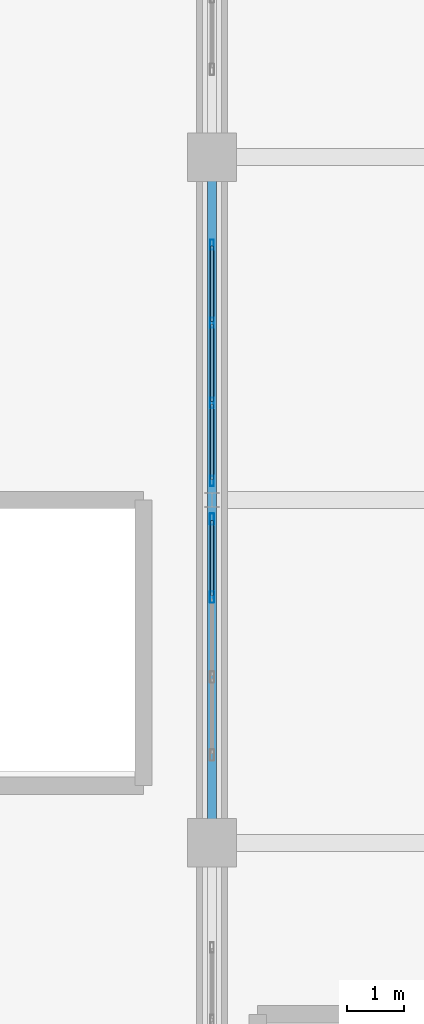
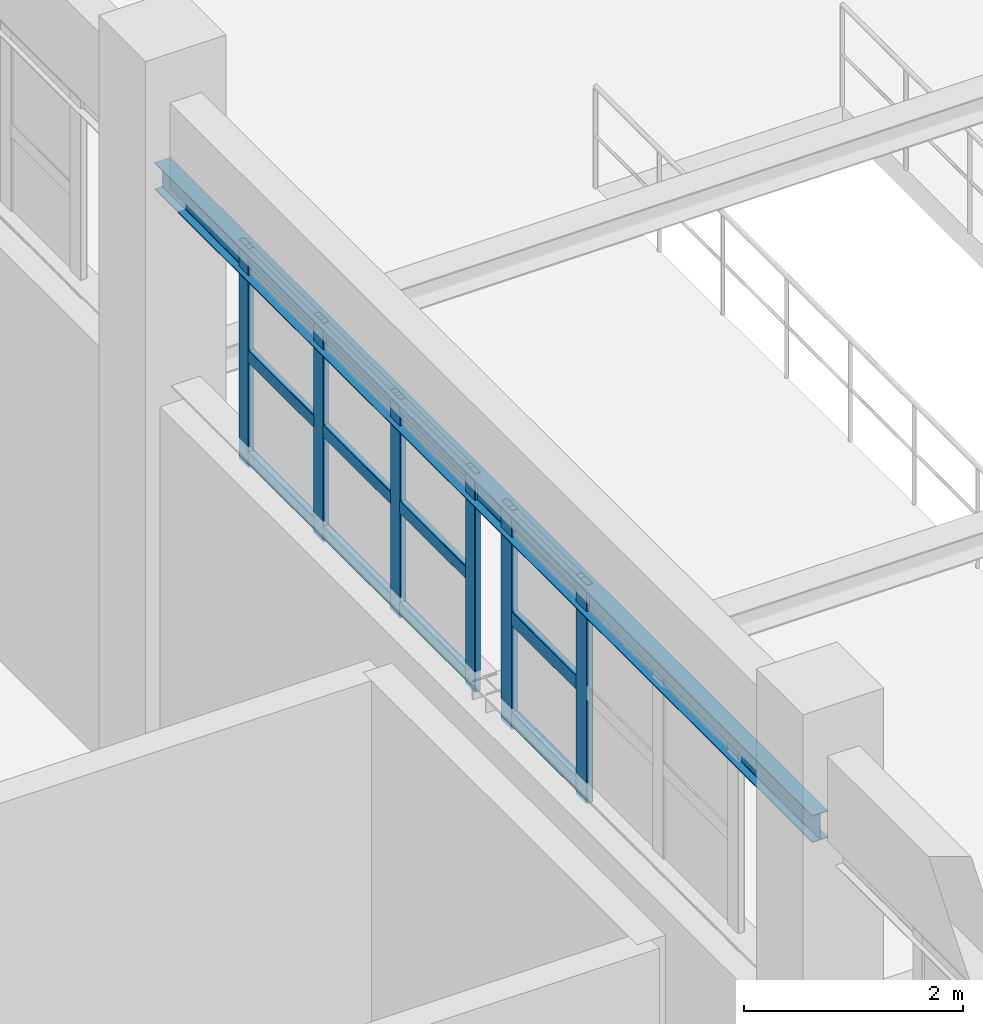
# One storey, part 53 of 97: 18 members, 1 beam, 2 elements without a shape of their own.
"""IFC4 building model written with IfcOpenShell, lengths in metres."""

from ifc_helpers import new_model, si_unit, derived_unit, direction, frame, origin, origin_2d, place, context, subcontext, project, spatial, hollow_rectangle, i_section, extrude, material, layer, layer_set, material_profile, profile_set, type_object, element, aggregate, save


model = new_model("IFC4")

# Units and contexts
model_context = context("Model", 3, precision=1e-05, world=origin(), true_north=direction((0.0, 1.0)))
body_context = subcontext(model_context, "Body", "Model", "MODEL_VIEW")
ifc_project = project(units=[si_unit("LENGTHUNIT", "METRE"), si_unit("AREAUNIT", "SQUARE_METRE"), si_unit("VOLUMEUNIT", "CUBIC_METRE"), si_unit("PLANEANGLEUNIT", "RADIAN"), si_unit("MASSUNIT", "GRAM", prefix="KILO"), derived_unit("THERMALTRANSMITTANCEUNIT", [(si_unit("POWERUNIT", "WATT"), 1), (si_unit("LENGTHUNIT", "METRE"), -2), (si_unit("THERMODYNAMICTEMPERATUREUNIT", "KELVIN"), -1)])], contexts=[model_context])

# Site, building, storey
site_placement = place(None, origin())
site = spatial("IfcSite", under=ifc_project, at=site_placement, CompositionType="ELEMENT")
building_placement = place(site_placement, origin())
building = spatial("IfcBuilding", under=site, at=building_placement, Name="Almenara Railside Exhibition Hall", CompositionType="ELEMENT")
storey_placement = place(building_placement, frame((0.0, 0.0, 10.800048828125)))
storey = spatial("IfcBuildingStorey", under=building, at=storey_placement, Name="L02", CompositionType="ELEMENT", Elevation=10.800048828125)

# Curtain wall, members
ifc_material_1 = material(Name="Bronze-anodised aluminium and low-E double glazing", Category="aluminium")
ifc_layer = layer(ifc_material_1, 0.179931640625, Name="Bronze-anodised aluminium and low-E double glazing")
ifc_layer_set = layer_set([ifc_layer], Name="Bronze-anodised aluminium and low-E double glazing")
curtain_wall_type = type_object("IfcCurtainWallType", Name="West Hall Clerestory Curtain Wall 4200x2400", PredefinedType="NOTDEFINED", material=ifc_layer_set)
curtain_wall_1_placement = place(storey_placement, origin())
curtain_wall_1 = element("IfcCurtainWall", 1, at=curtain_wall_1_placement, inside=storey, type_object=curtain_wall_type, Name="Curtain wall CW-CL1-016", PredefinedType="NOTDEFINED")
ifc_material_2 = material(Name="Bronze-anodised aluminium", Category="aluminium")
ifc_material_profile_1 = material_profile(ifc_material_2, hollow_rectangle(XDim=0.06494140625, YDim=0.179931640625, WallThickness=0.00390625, InnerFilletRadius=0.00390625, OuterFilletRadius=0.008056640625, at=origin_2d()), Name="ALU-MUL 65x180x4")
ifc_profile_set_1 = profile_set([ifc_material_profile_1], Name="Bronze-anodised aluminium")
member_type_1 = type_object("IfcMemberType", Name="Curtain Wall Mullion 65x180x4", PredefinedType="MULLION", material=ifc_profile_set_1)
member_1_placement = place(storey_placement, frame((66.0, 90.33251953125, 4.56494140625), z_axis=(0.0, 0.0, 1.0), x_axis=(-1.0, 0.0, 0.0)))
member_1 = element("IfcMember", 2, at=member_1_placement, type_object=member_type_1, Name="CW-CL1-016 mullion 1", PredefinedType="MULLION", context=body_context, shape_type="SweptSolid", body=[
    extrude(hollow_rectangle(XDim=0.06494140625, YDim=0.179931640625, WallThickness=0.00390625, InnerFilletRadius=0.00390625, OuterFilletRadius=0.008056640625, at=origin_2d()), origin(), (0.0, 0.0, 1.0), 2.43505859375),
])
member_2_placement = place(storey_placement, frame((66.0, 91.699951171875, 4.56494140625), z_axis=(0.0, 0.0, 1.0), x_axis=(-1.0, 0.0, 0.0)))
member_2 = element("IfcMember", 3, at=member_2_placement, type_object=member_type_1, Name="CW-CL1-016 mullion 2", PredefinedType="MULLION", context=body_context, shape_type="SweptSolid", body=[
    extrude(hollow_rectangle(XDim=0.06494140625, YDim=0.179931640625, WallThickness=0.00390625, InnerFilletRadius=0.00390625, OuterFilletRadius=0.008056640625, at=origin_2d()), origin(), (0.0, 0.0, 1.0), 2.43505859375),
])
member_3_placement = place(storey_placement, frame((66.0, 93.10009765625, 4.56494140625), z_axis=(0.0, 0.0, 1.0), x_axis=(-1.0, 0.0, 0.0)))
member_3 = element("IfcMember", 4, at=member_3_placement, type_object=member_type_1, Name="CW-CL1-016 mullion 3", PredefinedType="MULLION", context=body_context, shape_type="SweptSolid", body=[
    extrude(hollow_rectangle(XDim=0.06494140625, YDim=0.179931640625, WallThickness=0.00390625, InnerFilletRadius=0.00390625, OuterFilletRadius=0.008056640625, at=origin_2d()), origin(), (0.0, 0.0, 1.0), 2.43505859375),
])
member_4_placement = place(storey_placement, frame((66.0, 94.467529296875, 4.56494140625), z_axis=(0.0, 0.0, 1.0), x_axis=(-1.0, 0.0, 0.0)))
member_4 = element("IfcMember", 5, at=member_4_placement, type_object=member_type_1, Name="CW-CL1-016 mullion 4", PredefinedType="MULLION", context=body_context, shape_type="SweptSolid", body=[
    extrude(hollow_rectangle(XDim=0.06494140625, YDim=0.179931640625, WallThickness=0.00390625, InnerFilletRadius=0.00390625, OuterFilletRadius=0.008056640625, at=origin_2d()), origin(), (0.0, 0.0, 1.0), 2.43505859375),
])

curtain_wall_2_placement = place(storey_placement, origin())
curtain_wall_2 = element("IfcCurtainWall", 6, at=curtain_wall_2_placement, inside=storey, type_object=curtain_wall_type, Name="Curtain wall CW-CL1-015", PredefinedType="NOTDEFINED")
ifc_material_profile_2 = material_profile(ifc_material_2, hollow_rectangle(XDim=0.070068359375, YDim=0.199951171875, WallThickness=0.00439453125, InnerFilletRadius=0.00439453125, OuterFilletRadius=0.009033203125, at=origin_2d()), Name="ALU-MUL 70x200x4.5")
ifc_profile_set_2 = profile_set([ifc_material_profile_2], Name="Bronze-anodised aluminium")
member_type_2 = type_object("IfcMemberType", Name="Curtain Wall Mullion 70x200x4.5", PredefinedType="MULLION", material=ifc_profile_set_2)
member_5_placement = place(storey_placement, frame((66.0, 88.300048828125, 4.56494140625), z_axis=(0.0, 0.0, 1.0), x_axis=(-1.0, 0.0, 0.0)))
member_5 = element("IfcMember", 7, at=member_5_placement, type_object=member_type_2, Name="CW-CL1-015 mullion 3", PredefinedType="MULLION", context=body_context, shape_type="SweptSolid", body=[
    extrude(hollow_rectangle(XDim=0.070068359375, YDim=0.199951171875, WallThickness=0.00439453125, InnerFilletRadius=0.00439453125, OuterFilletRadius=0.009033203125, at=origin_2d()), origin(), (0.0, 0.0, 1.0), 2.43505859375),
])
member_6_placement = place(storey_placement, frame((66.0, 89.6650390625, 4.56494140625), z_axis=(0.0, 0.0, 1.0), x_axis=(-1.0, 0.0, 0.0)))
member_6 = element("IfcMember", 8, at=member_6_placement, type_object=member_type_2, Name="CW-CL1-015 mullion 4", PredefinedType="MULLION", context=body_context, shape_type="SweptSolid", body=[
    extrude(hollow_rectangle(XDim=0.070068359375, YDim=0.199951171875, WallThickness=0.00439453125, InnerFilletRadius=0.00439453125, OuterFilletRadius=0.009033203125, at=origin_2d()), origin(), (0.0, 0.0, 1.0), 2.43505859375),
])

# Member
ifc_material_profile_3 = material_profile(ifc_material_2, hollow_rectangle(XDim=0.06494140625, YDim=0.139892578125, WallThickness=0.00341796875, InnerFilletRadius=0.00341796875, OuterFilletRadius=0.007080078125, at=origin_2d()), Name="ALU-TRN 65x140x3.5")
ifc_profile_set_3 = profile_set([ifc_material_profile_3], Name="Bronze-anodised aluminium")
member_type_3 = type_object("IfcMemberType", Name="Curtain Wall Transom 65x140x3.5", PredefinedType="USERDEFINED", material=ifc_profile_set_3)
member_7_placement = place(storey_placement, frame((66.0, 90.35693359375, 4.669921875), z_axis=(0.0, 1.0, 0.0), x_axis=(-1.0, 0.0, 0.0)))
member_7 = element("IfcMember", 9, at=member_7_placement, type_object=member_type_3, Name="CW-CL1-016 transom 1.1", ObjectType="TRANSOM", PredefinedType="USERDEFINED", context=body_context, shape_type="SweptSolid", body=[
    extrude(hollow_rectangle(XDim=0.06494140625, YDim=0.139892578125, WallThickness=0.00341796875, InnerFilletRadius=0.00341796875, OuterFilletRadius=0.007080078125, at=origin_2d()), origin(), (0.0, 0.0, 1.0), 1.318603515625),
])

member_8_placement = place(storey_placement, frame((66.0, 90.35693359375, 5.800048828125), z_axis=(0.0, 1.0, 0.0), x_axis=(-1.0, 0.0, 0.0)))
member_8 = element("IfcMember", 10, at=member_8_placement, type_object=member_type_3, Name="CW-CL1-016 transom 1.2", ObjectType="TRANSOM", PredefinedType="USERDEFINED", context=body_context, shape_type="SweptSolid", body=[
    extrude(hollow_rectangle(XDim=0.06494140625, YDim=0.139892578125, WallThickness=0.00341796875, InnerFilletRadius=0.00341796875, OuterFilletRadius=0.007080078125, at=origin_2d()), origin(), (0.0, 0.0, 1.0), 1.318603515625),
])

member_9_placement = place(storey_placement, frame((66.0, 90.35693359375, 6.929931640625), z_axis=(0.0, 1.0, 0.0), x_axis=(-1.0, 0.0, 0.0)))
member_9 = element("IfcMember", 11, at=member_9_placement, type_object=member_type_3, Name="CW-CL1-016 transom 1.3", ObjectType="TRANSOM", PredefinedType="USERDEFINED", context=body_context, shape_type="SweptSolid", body=[
    extrude(hollow_rectangle(XDim=0.06494140625, YDim=0.139892578125, WallThickness=0.00341796875, InnerFilletRadius=0.00341796875, OuterFilletRadius=0.007080078125, at=origin_2d()), origin(), (0.0, 0.0, 1.0), 1.318603515625),
])

member_10_placement = place(storey_placement, frame((66.0, 91.724609375, 4.669921875), z_axis=(0.0, 1.0, 0.0), x_axis=(-1.0, 0.0, 0.0)))
member_10 = element("IfcMember", 12, at=member_10_placement, type_object=member_type_3, Name="CW-CL1-016 transom 2.1", ObjectType="TRANSOM", PredefinedType="USERDEFINED", context=body_context, shape_type="SweptSolid", body=[
    extrude(hollow_rectangle(XDim=0.06494140625, YDim=0.139892578125, WallThickness=0.00341796875, InnerFilletRadius=0.00341796875, OuterFilletRadius=0.007080078125, at=origin_2d()), origin(), (0.0, 0.0, 1.0), 1.350830078125),
])

member_11_placement = place(storey_placement, frame((66.0, 91.724609375, 5.800048828125), z_axis=(0.0, 1.0, 0.0), x_axis=(-1.0, 0.0, 0.0)))
member_11 = element("IfcMember", 13, at=member_11_placement, type_object=member_type_3, Name="CW-CL1-016 transom 2.2", ObjectType="TRANSOM", PredefinedType="USERDEFINED", context=body_context, shape_type="SweptSolid", body=[
    extrude(hollow_rectangle(XDim=0.06494140625, YDim=0.139892578125, WallThickness=0.00341796875, InnerFilletRadius=0.00341796875, OuterFilletRadius=0.007080078125, at=origin_2d()), origin(), (0.0, 0.0, 1.0), 1.350830078125),
])

member_12_placement = place(storey_placement, frame((66.0, 91.724609375, 6.929931640625), z_axis=(0.0, 1.0, 0.0), x_axis=(-1.0, 0.0, 0.0)))
member_12 = element("IfcMember", 14, at=member_12_placement, type_object=member_type_3, Name="CW-CL1-016 transom 2.3", ObjectType="TRANSOM", PredefinedType="USERDEFINED", context=body_context, shape_type="SweptSolid", body=[
    extrude(hollow_rectangle(XDim=0.06494140625, YDim=0.139892578125, WallThickness=0.00341796875, InnerFilletRadius=0.00341796875, OuterFilletRadius=0.007080078125, at=origin_2d()), origin(), (0.0, 0.0, 1.0), 1.350830078125),
])

member_13_placement = place(storey_placement, frame((66.0, 93.12451171875, 4.669921875), z_axis=(0.0, 1.0, 0.0), x_axis=(-1.0, 0.0, 0.0)))
member_13 = element("IfcMember", 15, at=member_13_placement, type_object=member_type_3, Name="CW-CL1-016 transom 3.1", ObjectType="TRANSOM", PredefinedType="USERDEFINED", context=body_context, shape_type="SweptSolid", body=[
    extrude(hollow_rectangle(XDim=0.06494140625, YDim=0.139892578125, WallThickness=0.00341796875, InnerFilletRadius=0.00341796875, OuterFilletRadius=0.007080078125, at=origin_2d()), origin(), (0.0, 0.0, 1.0), 1.318603515625),
])

member_14_placement = place(storey_placement, frame((66.0, 93.12451171875, 5.800048828125), z_axis=(0.0, 1.0, 0.0), x_axis=(-1.0, 0.0, 0.0)))
member_14 = element("IfcMember", 16, at=member_14_placement, type_object=member_type_3, Name="CW-CL1-016 transom 3.2", ObjectType="TRANSOM", PredefinedType="USERDEFINED", context=body_context, shape_type="SweptSolid", body=[
    extrude(hollow_rectangle(XDim=0.06494140625, YDim=0.139892578125, WallThickness=0.00341796875, InnerFilletRadius=0.00341796875, OuterFilletRadius=0.007080078125, at=origin_2d()), origin(), (0.0, 0.0, 1.0), 1.318603515625),
])

member_15_placement = place(storey_placement, frame((66.0, 93.12451171875, 6.929931640625), z_axis=(0.0, 1.0, 0.0), x_axis=(-1.0, 0.0, 0.0)))
member_15 = element("IfcMember", 17, at=member_15_placement, type_object=member_type_3, Name="CW-CL1-016 transom 3.3", ObjectType="TRANSOM", PredefinedType="USERDEFINED", context=body_context, shape_type="SweptSolid", body=[
    extrude(hollow_rectangle(XDim=0.06494140625, YDim=0.139892578125, WallThickness=0.00341796875, InnerFilletRadius=0.00341796875, OuterFilletRadius=0.007080078125, at=origin_2d()), origin(), (0.0, 0.0, 1.0), 1.318603515625),
])

aggregate(curtain_wall_1, [member_1, member_2, member_3, member_4, member_7, member_8, member_9, member_10, member_11, member_12, member_13, member_14, member_15])

ifc_material_profile_4 = material_profile(ifc_material_2, hollow_rectangle(XDim=0.070068359375, YDim=0.159912109375, WallThickness=0.00390625, InnerFilletRadius=0.00390625, OuterFilletRadius=0.008056640625, at=origin_2d()), Name="ALU-TRN 70x160x4")
ifc_profile_set_4 = profile_set([ifc_material_profile_4], Name="Bronze-anodised aluminium")
member_type_4 = type_object("IfcMemberType", Name="Curtain Wall Transom 70x160x4", PredefinedType="USERDEFINED", material=ifc_profile_set_4)
member_16_placement = place(storey_placement, frame((66.0, 88.326904296875, 4.679931640625), z_axis=(0.0, 1.0, 0.0), x_axis=(-1.0, 0.0, 0.0)))
member_16 = element("IfcMember", 18, at=member_16_placement, type_object=member_type_4, Name="CW-CL1-015 transom 3.1", ObjectType="TRANSOM", PredefinedType="USERDEFINED", context=body_context, shape_type="SweptSolid", body=[
    extrude(hollow_rectangle(XDim=0.070068359375, YDim=0.159912109375, WallThickness=0.00390625, InnerFilletRadius=0.00390625, OuterFilletRadius=0.008056640625, at=origin_2d()), origin(), (0.0, 0.0, 1.0), 1.31103515625),
])

member_17_placement = place(storey_placement, frame((66.0, 88.326904296875, 5.800048828125), z_axis=(0.0, 1.0, 0.0), x_axis=(-1.0, 0.0, 0.0)))
member_17 = element("IfcMember", 19, at=member_17_placement, type_object=member_type_4, Name="CW-CL1-015 transom 3.2", ObjectType="TRANSOM", PredefinedType="USERDEFINED", context=body_context, shape_type="SweptSolid", body=[
    extrude(hollow_rectangle(XDim=0.070068359375, YDim=0.159912109375, WallThickness=0.00390625, InnerFilletRadius=0.00390625, OuterFilletRadius=0.008056640625, at=origin_2d()), origin(), (0.0, 0.0, 1.0), 1.31103515625),
])

member_18_placement = place(storey_placement, frame((66.0, 88.326904296875, 6.919921875), z_axis=(0.0, 1.0, 0.0), x_axis=(-1.0, 0.0, 0.0)))
member_18 = element("IfcMember", 20, at=member_18_placement, type_object=member_type_4, Name="CW-CL1-015 transom 3.3", ObjectType="TRANSOM", PredefinedType="USERDEFINED", context=body_context, shape_type="SweptSolid", body=[
    extrude(hollow_rectangle(XDim=0.070068359375, YDim=0.159912109375, WallThickness=0.00390625, InnerFilletRadius=0.00390625, OuterFilletRadius=0.008056640625, at=origin_2d()), origin(), (0.0, 0.0, 1.0), 1.31103515625),
])

aggregate(curtain_wall_2, [member_5, member_6, member_16, member_17, member_18])

# Beam
ifc_material_3 = material(Name="Structural steel S355JR", Category="steel")
ifc_material_profile_5 = material_profile(ifc_material_3, i_section(OverallWidth=0.1650390625, OverallDepth=0.303466796875, WebThickness=0.006103515625, FlangeThickness=0.01025390625, FilletRadius=0.0087890625, at=origin_2d()), Name="UB 305x165x40")
ifc_profile_set_5 = profile_set([ifc_material_profile_5], Name="Structural steel S355JR")
beam_type = type_object("IfcBeamType", Name="Steel Canopy Edge Spandrel UB 305x165x40 S355JR", PredefinedType="SPANDREL", material=ifc_profile_set_5)
beam_placement = place(storey_placement, frame((66.0, 84.0, 6.84814453125), z_axis=(0.0, 1.0, 0.0), x_axis=(-1.0, 0.0, 0.0)))
element("IfcBeam", 21, at=beam_placement, inside=storey, type_object=beam_type, Name="BM-CRNLNT-V1-66-84", PredefinedType="SPANDREL", context=body_context, shape_type="SweptSolid", body=[
    extrude(i_section(OverallWidth=0.1650390625, OverallDepth=0.303466796875, WebThickness=0.006103515625, FlangeThickness=0.01025390625, FilletRadius=0.0087890625, at=origin_2d()), origin(), (0.0, 0.0, 1.0), 12.0),
])

save(model, "model.ifc")
